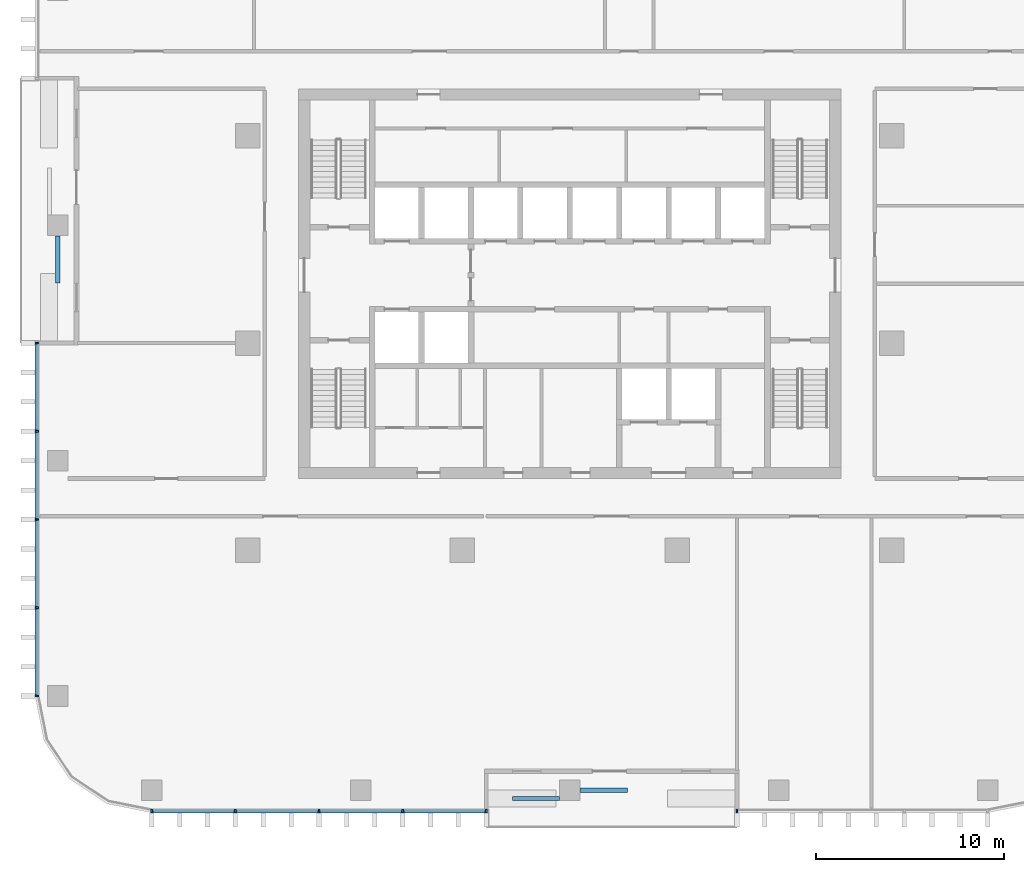
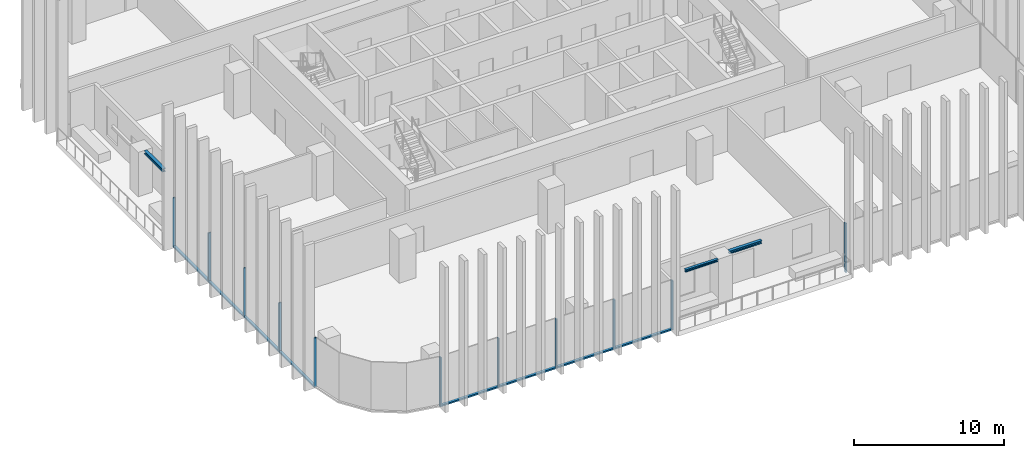
# One storey, part 2 of 16: 19 members, 3 beams, 3 elements without a shape of their own.
"""IFC4 building model written with IfcOpenShell, lengths in metres."""

from ifc_helpers import new_model, si_unit, direction, frame, origin, origin_2d, place, context, subcontext, project, spatial, rectangle, i_section, extrude, material, material_profile, profile_set, type_object, element, aggregate, save


model = new_model("IFC4")

# Units and contexts
model_context = context("Model", 3, precision=1e-05, world=origin(), true_north=direction((0.0, 1.0)))
body_context = subcontext(model_context, "Body", "Model", "MODEL_VIEW")
ifc_project = project(units=[si_unit("LENGTHUNIT", "METRE"), si_unit("AREAUNIT", "SQUARE_METRE"), si_unit("VOLUMEUNIT", "CUBIC_METRE"), si_unit("PLANEANGLEUNIT", "RADIAN"), si_unit("MASSUNIT", "GRAM", prefix="KILO")], contexts=[model_context])

# Site, building, storey
site_placement = place(None, origin())
site = spatial("IfcSite", under=ifc_project, at=site_placement, CompositionType="ELEMENT")
building_placement = place(site_placement, origin())
building = spatial("IfcBuilding", under=site, at=building_placement, Name="Mopane Tessera Tower", CompositionType="ELEMENT")
storey_placement = place(building_placement, frame((0.0, 0.0, 247.0)))
storey = spatial("IfcBuildingStorey", under=building, at=storey_placement, Name="L53", CompositionType="ELEMENT", Elevation=247.0)

# Curtain wall, members
ifc_material_1 = material(Name="Aluminium frame", Category="aluminium")
curtain_wall_type = type_object("IfcCurtainWallType", Name="Unitised curtain wall", PredefinedType="NOTDEFINED", material=ifc_material_1)
curtain_wall_1_placement = place(storey_placement, origin())
curtain_wall_1 = element("IfcCurtainWall", 1, at=curtain_wall_1_placement, inside=storey, type_object=curtain_wall_type, Name="e:cw:L53:S:0", PredefinedType="NOTDEFINED")
ifc_material_2 = material(Name="Aluminium frame", Category="aluminium")
ifc_material_profile_1 = material_profile(ifc_material_2, rectangle(XDim=0.10009765625, YDim=0.199951171875, at=origin_2d()))
ifc_profile_set_1 = profile_set([ifc_material_profile_1], Name="Aluminium frame")
member_type_1 = type_object("IfcMemberType", Name="Aluminium mullion 100 x 200", PredefinedType="MULLION", material=ifc_profile_set_1)
member_1_placement = place(storey_placement, frame((-22.199951171875, -24.85009765625, -0.39990234375), z_axis=(0.0, 0.0, 1.0), x_axis=(1.0, 0.0, 0.0)))
member_1 = element("IfcMember", 2, at=member_1_placement, type_object=member_type_1, Name="e:cw:L53:S:0:mu0", PredefinedType="MULLION", context=body_context, shape_type="SweptSolid", body=[
    extrude(rectangle(XDim=0.10009765625, YDim=0.199951171875, at=origin_2d()), origin(), (0.0, 0.0, 1.0), 4.0),
])
member_2_placement = place(storey_placement, frame((-17.760009765625, -24.85009765625, -0.39990234375), z_axis=(0.0, 0.0, 1.0), x_axis=(1.0, 0.0, 0.0)))
member_2 = element("IfcMember", 3, at=member_2_placement, type_object=member_type_1, Name="e:cw:L53:S:0:mu1", PredefinedType="MULLION", context=body_context, shape_type="SweptSolid", body=[
    extrude(rectangle(XDim=0.10009765625, YDim=0.199951171875, at=origin_2d()), origin(), (0.0, 0.0, 1.0), 4.0),
])
member_3_placement = place(storey_placement, frame((-13.320068359375, -24.85009765625, -0.39990234375), z_axis=(0.0, 0.0, 1.0), x_axis=(1.0, 0.0, 0.0)))
member_3 = element("IfcMember", 4, at=member_3_placement, type_object=member_type_1, Name="e:cw:L53:S:0:mu2", PredefinedType="MULLION", context=body_context, shape_type="SweptSolid", body=[
    extrude(rectangle(XDim=0.10009765625, YDim=0.199951171875, at=origin_2d()), origin(), (0.0, 0.0, 1.0), 4.0),
])
member_4_placement = place(storey_placement, frame((-8.8798828125, -24.85009765625, -0.39990234375), z_axis=(0.0, 0.0, 1.0), x_axis=(1.0, 0.0, 0.0)))
member_4 = element("IfcMember", 5, at=member_4_placement, type_object=member_type_1, Name="e:cw:L53:S:0:mu3", PredefinedType="MULLION", context=body_context, shape_type="SweptSolid", body=[
    extrude(rectangle(XDim=0.10009765625, YDim=0.199951171875, at=origin_2d()), origin(), (0.0, 0.0, 1.0), 4.0),
])
member_5_placement = place(storey_placement, frame((-4.43994140625, -24.85009765625, -0.39990234375), z_axis=(0.0, 0.0, 1.0), x_axis=(1.0, 0.0, 0.0)))
member_5 = element("IfcMember", 6, at=member_5_placement, type_object=member_type_1, Name="e:cw:L53:S:0:mu4", PredefinedType="MULLION", context=body_context, shape_type="SweptSolid", body=[
    extrude(rectangle(XDim=0.10009765625, YDim=0.199951171875, at=origin_2d()), origin(), (0.0, 0.0, 1.0), 4.0),
])

# Curtain wall, member
curtain_wall_2_placement = place(storey_placement, origin())
curtain_wall_2 = element("IfcCurtainWall", 7, at=curtain_wall_2_placement, inside=storey, type_object=curtain_wall_type, Name="e:cw:L53:S:7", PredefinedType="NOTDEFINED")
member_6_placement = place(storey_placement, frame((8.8798828125, -24.85009765625, -0.39990234375), z_axis=(0.0, 0.0, 1.0), x_axis=(1.0, 0.0, 0.0)))
member_6 = element("IfcMember", 8, at=member_6_placement, type_object=member_type_1, Name="e:cw:L53:S:7:mu7", PredefinedType="MULLION", context=body_context, shape_type="SweptSolid", body=[
    extrude(rectangle(XDim=0.10009765625, YDim=0.199951171875, at=origin_2d()), origin(), (0.0, 0.0, 1.0), 4.0),
])
aggregate(curtain_wall_2, [member_6])

# Curtain wall, members
curtain_wall_3_placement = place(storey_placement, origin())
curtain_wall_3 = element("IfcCurtainWall", 9, at=curtain_wall_3_placement, inside=storey, type_object=curtain_wall_type, Name="e:cw:L53:W:4", PredefinedType="NOTDEFINED")
member_7_placement = place(storey_placement, frame((-28.300048828125, 0.0, -0.39990234375), z_axis=(0.0, 0.0, 1.0), x_axis=(0.0, -1.0, 0.0)))
member_7 = element("IfcMember", 10, at=member_7_placement, type_object=member_type_1, Name="e:cw:L53:W:4:mu4", PredefinedType="MULLION", context=body_context, shape_type="SweptSolid", body=[
    extrude(rectangle(XDim=0.10009765625, YDim=0.199951171875, at=origin_2d()), origin(), (0.0, 0.0, 1.0), 4.0),
])
member_8_placement = place(storey_placement, frame((-28.300048828125, -4.6875, -0.39990234375), z_axis=(0.0, 0.0, 1.0), x_axis=(0.0, -1.0, 0.0)))
member_8 = element("IfcMember", 11, at=member_8_placement, type_object=member_type_1, Name="e:cw:L53:W:4:mu5", PredefinedType="MULLION", context=body_context, shape_type="SweptSolid", body=[
    extrude(rectangle(XDim=0.10009765625, YDim=0.199951171875, at=origin_2d()), origin(), (0.0, 0.0, 1.0), 4.0),
])
member_9_placement = place(storey_placement, frame((-28.300048828125, -9.375, -0.39990234375), z_axis=(0.0, 0.0, 1.0), x_axis=(0.0, -1.0, 0.0)))
member_9 = element("IfcMember", 12, at=member_9_placement, type_object=member_type_1, Name="e:cw:L53:W:4:mu6", PredefinedType="MULLION", context=body_context, shape_type="SweptSolid", body=[
    extrude(rectangle(XDim=0.10009765625, YDim=0.199951171875, at=origin_2d()), origin(), (0.0, 0.0, 1.0), 4.0),
])
member_10_placement = place(storey_placement, frame((-28.300048828125, -14.0625, -0.39990234375), z_axis=(0.0, 0.0, 1.0), x_axis=(0.0, -1.0, 0.0)))
member_10 = element("IfcMember", 13, at=member_10_placement, type_object=member_type_1, Name="e:cw:L53:W:4:mu7", PredefinedType="MULLION", context=body_context, shape_type="SweptSolid", body=[
    extrude(rectangle(XDim=0.10009765625, YDim=0.199951171875, at=origin_2d()), origin(), (0.0, 0.0, 1.0), 4.0),
])
member_11_placement = place(storey_placement, frame((-28.300048828125, -18.75, -0.39990234375), z_axis=(0.0, 0.0, 1.0), x_axis=(0.0, -1.0, 0.0)))
member_11 = element("IfcMember", 14, at=member_11_placement, type_object=member_type_1, Name="e:cw:L53:W:4:mu8", PredefinedType="MULLION", context=body_context, shape_type="SweptSolid", body=[
    extrude(rectangle(XDim=0.10009765625, YDim=0.199951171875, at=origin_2d()), origin(), (0.0, 0.0, 1.0), 4.0),
])

# Member
ifc_material_3 = material(Name="Aluminium frame", Category="aluminium")
ifc_material_profile_2 = material_profile(ifc_material_3, rectangle(XDim=0.199951171875, YDim=0.1201171875, at=origin_2d()))
ifc_profile_set_2 = profile_set([ifc_material_profile_2], Name="Aluminium frame")
member_type_2 = type_object("IfcMemberType", Name="Aluminium transom 200 x 120", PredefinedType="USERDEFINED", material=ifc_profile_set_2)
member_12_placement = place(storey_placement, frame((-22.14990234375, -24.85009765625, -0.340087890625), z_axis=(1.0, 0.0, 0.0), x_axis=(0.0, 1.0, 0.0)))
member_12 = element("IfcMember", 15, at=member_12_placement, type_object=member_type_2, Name="e:cw:L53:S:0:tr0", ObjectType="TRANSOM", PredefinedType="USERDEFINED", context=body_context, shape_type="SweptSolid", body=[
    extrude(rectangle(XDim=0.199951171875, YDim=0.1201171875, at=origin_2d()), origin(), (0.0, 0.0, 1.0), 4.33984375),
])

member_13_placement = place(storey_placement, frame((-17.7099609375, -24.85009765625, -0.340087890625), z_axis=(1.0, 0.0, 0.0), x_axis=(0.0, 1.0, 0.0)))
member_13 = element("IfcMember", 16, at=member_13_placement, type_object=member_type_2, Name="e:cw:L53:S:0:tr1", ObjectType="TRANSOM", PredefinedType="USERDEFINED", context=body_context, shape_type="SweptSolid", body=[
    extrude(rectangle(XDim=0.199951171875, YDim=0.1201171875, at=origin_2d()), origin(), (0.0, 0.0, 1.0), 4.33984375),
])

member_14_placement = place(storey_placement, frame((-13.27001953125, -24.85009765625, -0.340087890625), z_axis=(1.0, 0.0, 0.0), x_axis=(0.0, 1.0, 0.0)))
member_14 = element("IfcMember", 17, at=member_14_placement, type_object=member_type_2, Name="e:cw:L53:S:0:tr2", ObjectType="TRANSOM", PredefinedType="USERDEFINED", context=body_context, shape_type="SweptSolid", body=[
    extrude(rectangle(XDim=0.199951171875, YDim=0.1201171875, at=origin_2d()), origin(), (0.0, 0.0, 1.0), 4.340087890625),
])

member_15_placement = place(storey_placement, frame((-8.830078125, -24.85009765625, -0.340087890625), z_axis=(1.0, 0.0, 0.0), x_axis=(0.0, 1.0, 0.0)))
member_15 = element("IfcMember", 18, at=member_15_placement, type_object=member_type_2, Name="e:cw:L53:S:0:tr3", ObjectType="TRANSOM", PredefinedType="USERDEFINED", context=body_context, shape_type="SweptSolid", body=[
    extrude(rectangle(XDim=0.199951171875, YDim=0.1201171875, at=origin_2d()), origin(), (0.0, 0.0, 1.0), 4.340087890625),
])

aggregate(curtain_wall_1, [member_1, member_2, member_3, member_4, member_5, member_12, member_13, member_14, member_15])

member_16_placement = place(storey_placement, frame((-28.300048828125, -0.050048828125, -0.340087890625), z_axis=(0.0, -1.0, 0.0), x_axis=(1.0, 0.0, 0.0)))
member_16 = element("IfcMember", 19, at=member_16_placement, type_object=member_type_2, Name="e:cw:L53:W:4:tr4", ObjectType="TRANSOM", PredefinedType="USERDEFINED", context=body_context, shape_type="SweptSolid", body=[
    extrude(rectangle(XDim=0.199951171875, YDim=0.1201171875, at=origin_2d()), origin(), (0.0, 0.0, 1.0), 4.58740234375),
])

member_17_placement = place(storey_placement, frame((-28.300048828125, -4.737548828125, -0.340087890625), z_axis=(0.0, -1.0, 0.0), x_axis=(1.0, 0.0, 0.0)))
member_17 = element("IfcMember", 20, at=member_17_placement, type_object=member_type_2, Name="e:cw:L53:W:4:tr5", ObjectType="TRANSOM", PredefinedType="USERDEFINED", context=body_context, shape_type="SweptSolid", body=[
    extrude(rectangle(XDim=0.199951171875, YDim=0.1201171875, at=origin_2d()), origin(), (0.0, 0.0, 1.0), 4.58740234375),
])

member_18_placement = place(storey_placement, frame((-28.300048828125, -9.425048828125, -0.340087890625), z_axis=(0.0, -1.0, 0.0), x_axis=(1.0, 0.0, 0.0)))
member_18 = element("IfcMember", 21, at=member_18_placement, type_object=member_type_2, Name="e:cw:L53:W:4:tr6", ObjectType="TRANSOM", PredefinedType="USERDEFINED", context=body_context, shape_type="SweptSolid", body=[
    extrude(rectangle(XDim=0.199951171875, YDim=0.1201171875, at=origin_2d()), origin(), (0.0, 0.0, 1.0), 4.58740234375),
])

member_19_placement = place(storey_placement, frame((-28.300048828125, -14.112548828125, -0.340087890625), z_axis=(0.0, -1.0, 0.0), x_axis=(1.0, 0.0, 0.0)))
member_19 = element("IfcMember", 22, at=member_19_placement, type_object=member_type_2, Name="e:cw:L53:W:4:tr7", ObjectType="TRANSOM", PredefinedType="USERDEFINED", context=body_context, shape_type="SweptSolid", body=[
    extrude(rectangle(XDim=0.199951171875, YDim=0.1201171875, at=origin_2d()), origin(), (0.0, 0.0, 1.0), 4.58740234375),
])

aggregate(curtain_wall_3, [member_7, member_8, member_9, member_10, member_11, member_16, member_17, member_18, member_19])

# Beams
ifc_material_4 = material(Name="Structural steel S460", Category="steel")
ifc_material_profile_3 = material_profile(ifc_material_4, i_section(OverallWidth=0.239990234375, OverallDepth=0.239990234375, WebThickness=0.010009765625, FlangeThickness=0.01708984375, FilletRadius=0.02099609375, at=origin_2d()))
ifc_profile_set_3 = profile_set([ifc_material_profile_3], Name="Structural steel S460")
beam_type_1 = type_object("IfcBeamType", Name="Terrace spandrel beam HE 240 B", PredefinedType="SPANDREL", material=ifc_profile_set_3)
for number, where, z_axis, x_axis, name in (
    (23, (0.552978515625, -23.75, 3.47998046875), (1.0, 0.0, 0.0), (0.0, 1.0, 0.0), "Terrace spandrel beam N1 L54"),
    (24, (-27.199951171875, 5.697021484375, 3.47998046875), (0.0, -1.0, 0.0), (1.0, 0.0, 0.0), "Terrace spandrel beam N3 L54"),
):
    element("IfcBeam", number, at=place(storey_placement, frame(where, z_axis=z_axis, x_axis=x_axis)), inside=storey, type_object=beam_type_1, Name=name, PredefinedType="SPANDREL", context=body_context, shape_type="SweptSolid", body=[
        extrude(i_section(OverallWidth=0.239990234375, OverallDepth=0.239990234375, WebThickness=0.010009765625, FlangeThickness=0.01708984375, FilletRadius=0.02099609375, at=origin_2d()), origin(), (0.0, 0.0, 1.0), 2.5),
    ])
ifc_material_5 = material(Name="Structural steel S460", Category="steel")
ifc_material_profile_4 = material_profile(ifc_material_5, i_section(OverallWidth=0.199951171875, OverallDepth=0.199951171875, WebThickness=0.009033203125, FlangeThickness=0.014892578125, FilletRadius=0.01806640625, at=origin_2d()))
ifc_profile_set_4 = profile_set([ifc_material_profile_4], Name="Structural steel S460")
beam_type_2 = type_object("IfcBeamType", Name="Terrace trimmer beam HE 200 B", PredefinedType="BEAM", material=ifc_profile_set_4)
beam_placement = place(storey_placement, frame((-0.552978515625, -24.18994140625, 3.5), z_axis=(-1.0, 0.0, 0.0), x_axis=(0.0, -1.0, 0.0)))
element("IfcBeam", 25, at=beam_placement, inside=storey, type_object=beam_type_2, Name="Terrace trimmer beam N1 L54", PredefinedType="BEAM", context=body_context, shape_type="SweptSolid", body=[
    extrude(i_section(OverallWidth=0.199951171875, OverallDepth=0.199951171875, WebThickness=0.009033203125, FlangeThickness=0.014892578125, FilletRadius=0.01806640625, at=origin_2d()), origin(), (0.0, 0.0, 1.0), 2.5),
])

save(model, "model.ifc")
